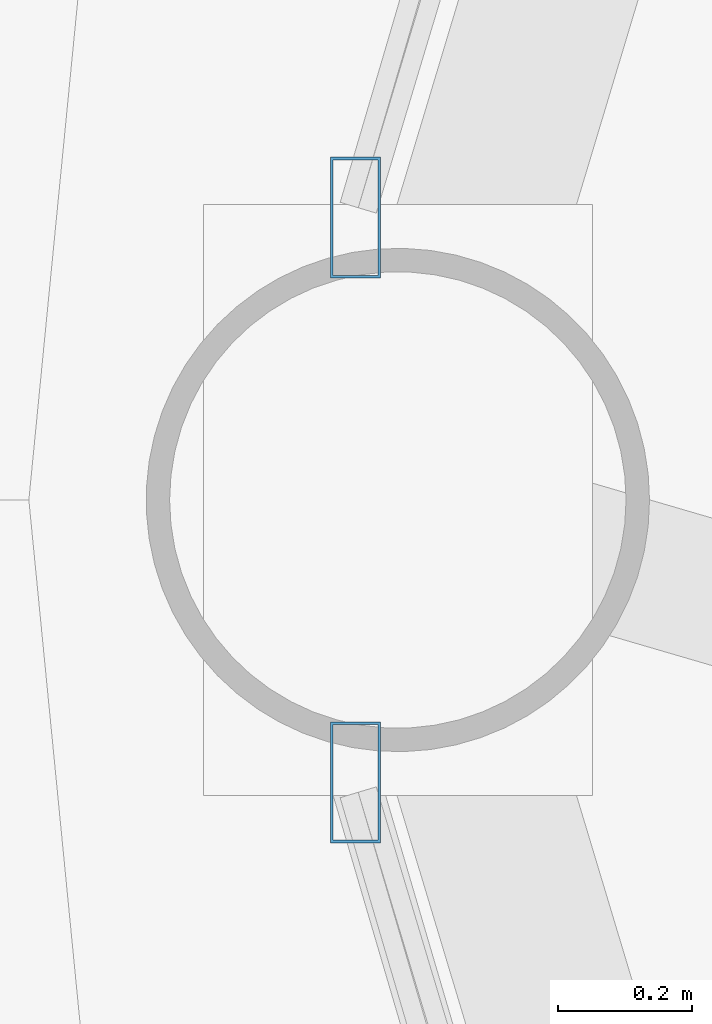
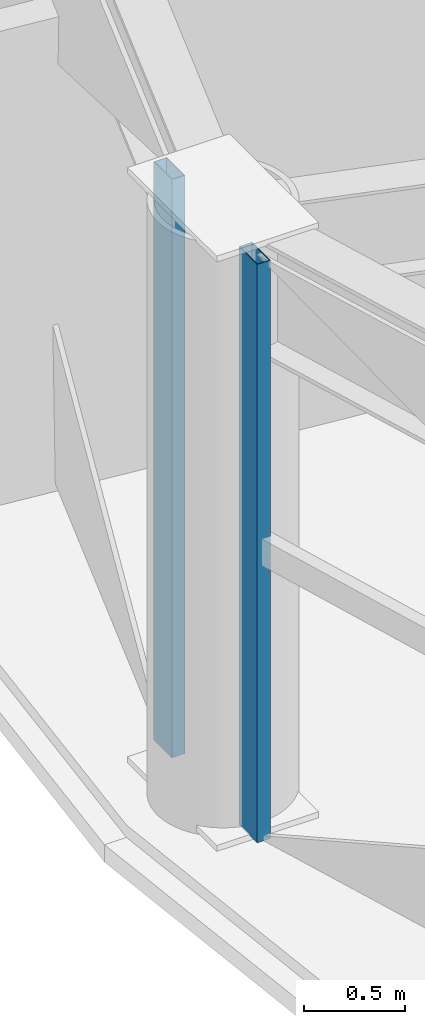
# One storey, part 7 of 31: 2 members, 2 elements without a shape of their own.
"""IFC4 building model written with IfcOpenShell, lengths in metres."""

from ifc_helpers import new_model, si_unit, direction, frame, origin, origin_2d, place, context, subcontext, project, spatial, hollow_rectangle, extrude, material, layer, layer_set, material_profile, profile_set, type_object, element, aggregate, save


model = new_model("IFC4")

# Units and contexts
model_context = context("Model", 3, precision=1e-05, world=origin(), true_north=direction((0.0, 1.0)))
body_context = subcontext(model_context, "Body", "Model", "MODEL_VIEW")
ifc_project = project(units=[si_unit("LENGTHUNIT", "METRE"), si_unit("AREAUNIT", "SQUARE_METRE"), si_unit("VOLUMEUNIT", "CUBIC_METRE"), si_unit("PLANEANGLEUNIT", "RADIAN"), si_unit("MASSUNIT", "GRAM", prefix="KILO")], contexts=[model_context])

# Site, building, storey
site_placement = place(None, origin())
site = spatial("IfcSite", under=ifc_project, at=site_placement, CompositionType="ELEMENT")
building_placement = place(site_placement, origin())
building = spatial("IfcBuilding", under=site, at=building_placement, Name="Vantalir Tower", CompositionType="ELEMENT")
storey_placement = place(building_placement, frame((0.0, 0.0, 123.449951171875)))
storey = spatial("IfcBuildingStorey", under=building, at=storey_placement, Name="L30", CompositionType="ELEMENT", Elevation=123.449951171875)

# Curtain wall, member
ifc_material_1 = material(Name="Champagne-silver PVDF aluminium and double-silver Low-E glass", Category="aluminium")
ifc_layer = layer(ifc_material_1, 0.199951171875)
ifc_layer_set = layer_set([ifc_layer], Name="Champagne-silver PVDF aluminium and double-silver Low-E glass")
curtain_wall_type = type_object("IfcCurtainWallType", Name="CW-DIAMOND-Z2", PredefinedType="USERDEFINED", material=ifc_layer_set)
curtain_wall_1_placement = place(storey_placement, origin())
curtain_wall_1 = element("IfcCurtainWall", 1, at=curtain_wall_1_placement, inside=storey, type_object=curtain_wall_type, Name="L30 Quilted Pyramid-Diamond Curtain Wall S06", ObjectType="UNITISED CURTAIN WALL", PredefinedType="USERDEFINED")
ifc_material_2 = material(Name="Champagne-silver PVDF aluminium 6063-T6", Category="aluminium")
ifc_material_profile = material_profile(ifc_material_2, hollow_rectangle(XDim=0.074951171875, YDim=0.179931640625, WallThickness=0.00390625, at=origin_2d()), Name="Champagne-silver PVDF aluminium 6063-T6")
ifc_profile_set = profile_set([ifc_material_profile], Name="Champagne-silver PVDF aluminium 6063-T6")
member_type = type_object("IfcMemberType", Name="CWM-180x75", PredefinedType="MULLION", material=ifc_profile_set)
member_1_placement = place(storey_placement, frame((6.096923828125, 25.4208984375, 0.045166015625), z_axis=(0.0, 0.0, 1.0), x_axis=(1.0, 0.0, 0.0)))
member_1 = element("IfcMember", 2, at=member_1_placement, type_object=member_type, Name="CW-L30-S06 Mullion 2", PredefinedType="MULLION", context=body_context, shape_type="SweptSolid", body=[
    extrude(hollow_rectangle(XDim=0.074951171875, YDim=0.179931640625, WallThickness=0.00390625, at=origin_2d()), origin(), (0.0, 0.0, 1.0), 3.47998046875),
])
aggregate(curtain_wall_1, [member_1])

curtain_wall_2_placement = place(storey_placement, origin())
curtain_wall_2 = element("IfcCurtainWall", 3, at=curtain_wall_2_placement, inside=storey, type_object=curtain_wall_type, Name="L30 Quilted Pyramid-Diamond Curtain Wall S07", ObjectType="UNITISED CURTAIN WALL", PredefinedType="USERDEFINED")
member_2_placement = place(storey_placement, frame((6.096923828125, 24.5791015625, 0.045166015625), z_axis=(0.0, 0.0, 1.0), x_axis=(1.0, 0.0, 0.0)))
member_2 = element("IfcMember", 4, at=member_2_placement, type_object=member_type, Name="CW-L30-S07 Mullion 1", PredefinedType="MULLION", context=body_context, shape_type="SweptSolid", body=[
    extrude(hollow_rectangle(XDim=0.074951171875, YDim=0.179931640625, WallThickness=0.00390625, at=origin_2d()), origin(), (0.0, 0.0, 1.0), 3.47998046875),
])
aggregate(curtain_wall_2, [member_2])

save(model, "model.ifc")
